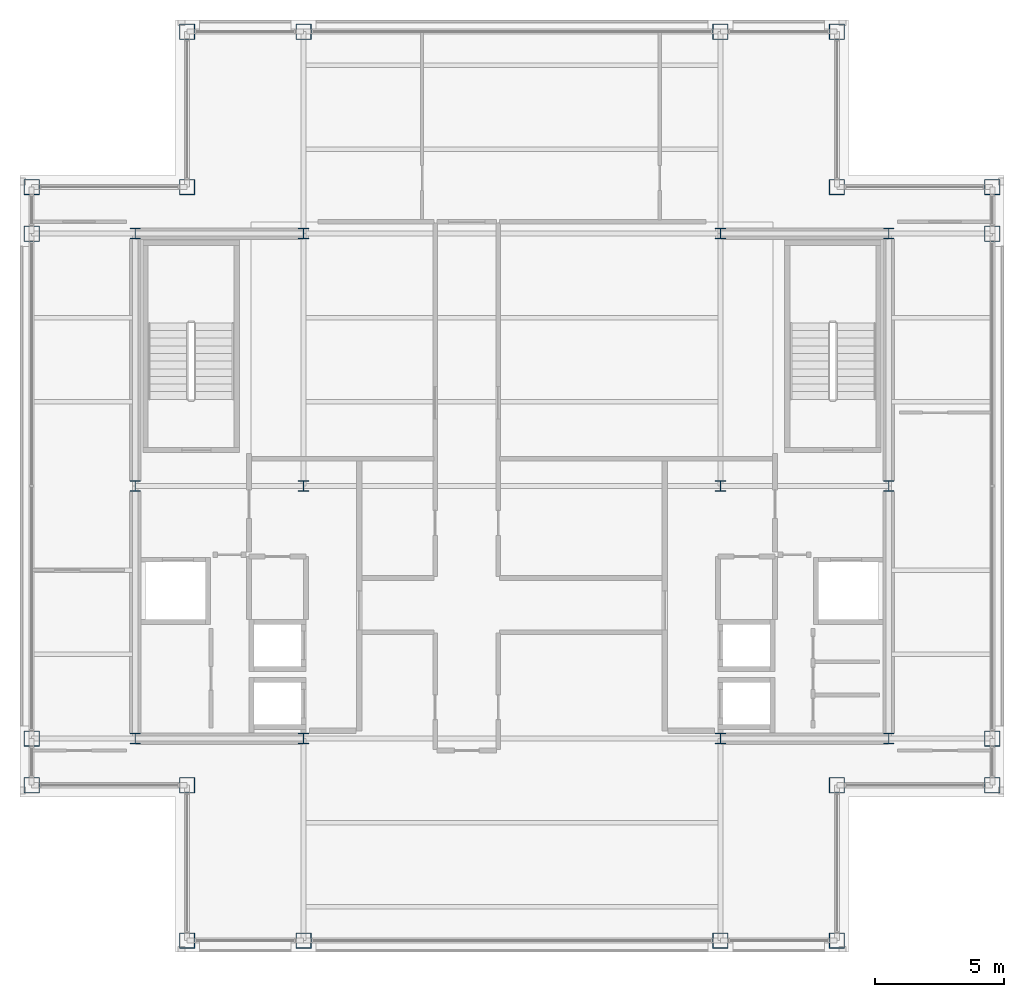
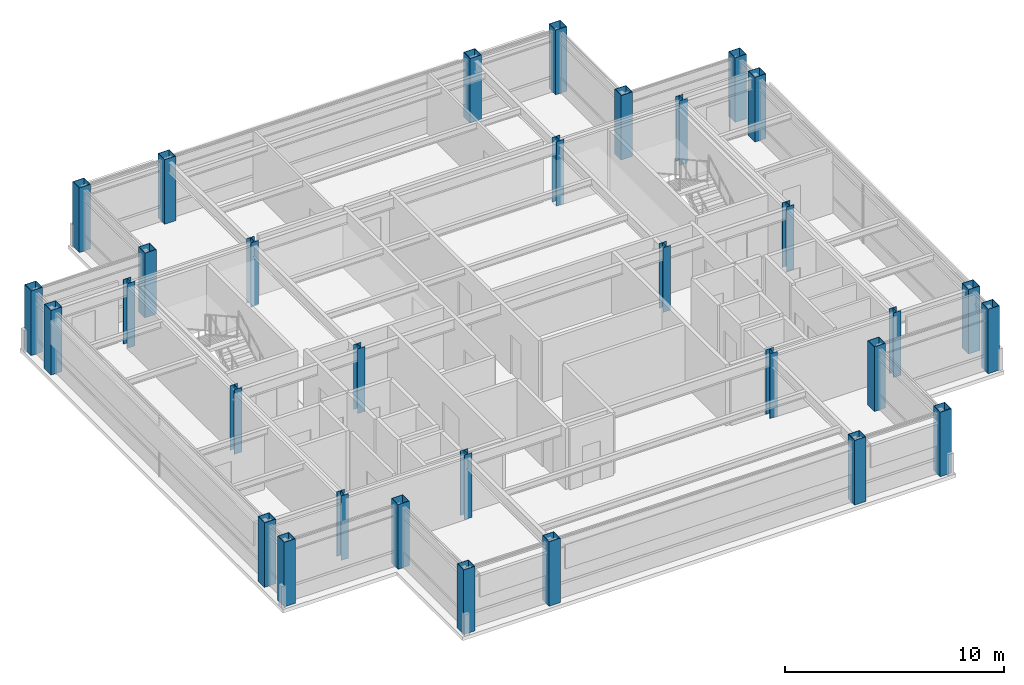
# One storey, part 1 of 22: 32 columns.
"""IFC4 building model written with IfcOpenShell, lengths in metres."""

from ifc_helpers import new_model, si_unit, direction, frame, origin, origin_2d, place, context, subcontext, project, spatial, hollow_rectangle, i_section, extrude, material, material_profile, profile_set, type_object, element, save


model = new_model("IFC4")

# Units and contexts
model_context = context("Model", 3, precision=1e-05, world=origin(), true_north=direction((0.0, 1.0)))
body_context = subcontext(model_context, "Body", "Model", "MODEL_VIEW")
ifc_project = project(units=[si_unit("LENGTHUNIT", "METRE"), si_unit("AREAUNIT", "SQUARE_METRE"), si_unit("VOLUMEUNIT", "CUBIC_METRE"), si_unit("PLANEANGLEUNIT", "RADIAN"), si_unit("MASSUNIT", "GRAM", prefix="KILO")], contexts=[model_context])

# Site, building, storey
site_placement = place(None, origin())
site = spatial("IfcSite", under=ifc_project, at=site_placement, CompositionType="ELEMENT")
building_placement = place(site_placement, origin())
building = spatial("IfcBuilding", under=site, at=building_placement, Name="Brelmoor Portico Tower", CompositionType="ELEMENT")
storey_placement = place(building_placement, frame((0.0, 0.0, 280.800048828125)))
storey = spatial("IfcBuildingStorey", under=building, at=storey_placement, Name="L74", CompositionType="ELEMENT", Elevation=280.800048828125)

# Columns
ifc_material = material(Name="Steel Q355B", Category="steel")
ifc_material_profile_1 = material_profile(ifc_material, hollow_rectangle(XDim=0.60009765625, YDim=0.60009765625, WallThickness=0.02490234375, at=origin_2d()), Name="BOX 600x600x25")
ifc_profile_set_1 = profile_set([ifc_material_profile_1], Name="Steel Q355B")
column_type_1 = type_object("IfcColumnType", Name="COL-MEGA-600", PredefinedType="COLUMN", material=ifc_profile_set_1)
for number, where, z_axis, x_axis, name in (
    (1, (-12.550048828125, -17.550048828125, 0.0), (0.0, 0.0, 1.0), (1.0, 0.0, 0.0), "L74 Perimeter Mega-Column PS01"),
    (2, (-8.050048828125, -17.550048828125, 0.0), (0.0, 0.0, 1.0), (1.0, 0.0, 0.0), "L74 Perimeter Mega-Column PS02"),
    (3, (8.050048828125, -17.550048828125, 0.0), (0.0, 0.0, 1.0), (1.0, 0.0, 0.0), "L74 Perimeter Mega-Column PS03"),
    (4, (12.550048828125, -17.550048828125, 0.0), (0.0, 0.0, 1.0), (1.0, 0.0, 0.0), "L74 Perimeter Mega-Column PS04"),
    (5, (-12.550048828125, 17.550048828125, 0.0), (0.0, 0.0, 1.0), (1.0, 0.0, 0.0), "L74 Perimeter Mega-Column PN01"),
    (6, (-8.050048828125, 17.550048828125, 0.0), (0.0, 0.0, 1.0), (1.0, 0.0, 0.0), "L74 Perimeter Mega-Column PN02"),
    (7, (8.050048828125, 17.550048828125, 0.0), (0.0, 0.0, 1.0), (1.0, 0.0, 0.0), "L74 Perimeter Mega-Column PN03"),
    (8, (12.550048828125, 17.550048828125, 0.0), (0.0, 0.0, 1.0), (1.0, 0.0, 0.0), "L74 Perimeter Mega-Column PN04"),
    (9, (-18.550048828125, -11.550048828125, 0.0), (0.0, 0.0, 1.0), (0.0, 1.0, 0.0), "L74 Perimeter Mega-Column PW01"),
    (10, (-18.550048828125, -9.75, 0.0), (0.0, 0.0, 1.0), (0.0, 1.0, 0.0), "L74 Perimeter Mega-Column PW02"),
    (11, (-18.550048828125, 9.75, 0.0), (0.0, 0.0, 1.0), (0.0, 1.0, 0.0), "L74 Perimeter Mega-Column PW03"),
    (12, (-18.550048828125, 11.550048828125, 0.0), (0.0, 0.0, 1.0), (0.0, 1.0, 0.0), "L74 Perimeter Mega-Column PW04"),
    (13, (18.550048828125, -11.550048828125, 0.0), (0.0, 0.0, 1.0), (0.0, 1.0, 0.0), "L74 Perimeter Mega-Column PE01"),
    (14, (18.550048828125, -9.75, 0.0), (0.0, 0.0, 1.0), (0.0, 1.0, 0.0), "L74 Perimeter Mega-Column PE02"),
    (15, (18.550048828125, 9.75, 0.0), (0.0, 0.0, 1.0), (0.0, 1.0, 0.0), "L74 Perimeter Mega-Column PE03"),
    (16, (18.550048828125, 11.550048828125, 0.0), (0.0, 0.0, 1.0), (0.0, 1.0, 0.0), "L74 Perimeter Mega-Column PE04"),
    (17, (-12.550048828125, 11.550048828125, 0.0), (0.0, 0.0, 1.0), (1.0, 0.0, 0.0), "L74 Perimeter Mega-Column PC-NW"),
    (18, (12.550048828125, 11.550048828125, 0.0), (0.0, 0.0, 1.0), (1.0, 0.0, 0.0), "L74 Perimeter Mega-Column PC-NE"),
    (19, (12.550048828125, -11.550048828125, 0.0), (0.0, 0.0, 1.0), (1.0, 0.0, 0.0), "L74 Perimeter Mega-Column PC-SE"),
    (20, (-12.550048828125, -11.550048828125, 0.0), (0.0, 0.0, 1.0), (1.0, 0.0, 0.0), "L74 Perimeter Mega-Column PC-SW"),
):
    element("IfcColumn", number, at=place(storey_placement, frame(where, z_axis=z_axis, x_axis=x_axis)), inside=storey, type_object=column_type_1, Name=name, PredefinedType="COLUMN", context=body_context, shape_type="SweptSolid", body=[
        extrude(hollow_rectangle(XDim=0.60009765625, YDim=0.60009765625, WallThickness=0.02490234375, at=origin_2d()), origin(), (0.0, 0.0, 1.0), 3.599853515625),
    ])
ifc_material_profile_2 = material_profile(ifc_material, i_section(OverallWidth=0.39990234375, OverallDepth=0.39990234375, WebThickness=0.012939453125, FlangeThickness=0.02099609375, at=origin_2d()), Name="HW 400x400x13x21")
ifc_profile_set_2 = profile_set([ifc_material_profile_2], Name="Steel Q355B")
column_type_2 = type_object("IfcColumnType", Name="COL-SPINE-400", PredefinedType="COLUMN", material=ifc_profile_set_2)
for number, where, z_axis, x_axis, name in (
    (21, (-14.550048828125, -9.75, 0.0), (0.0, 0.0, 1.0), (1.0, 0.0, 0.0), "L74 Core Spine Column CW-SW"),
    (22, (-14.550048828125, 0.0, 0.0), (0.0, 0.0, 1.0), (1.0, 0.0, 0.0), "L74 Core Spine Column CW-MW"),
    (23, (-14.550048828125, 9.75, 0.0), (0.0, 0.0, 1.0), (1.0, 0.0, 0.0), "L74 Core Spine Column CW-NW"),
    (24, (-8.050048828125, -9.75, 0.0), (0.0, 0.0, 1.0), (1.0, 0.0, 0.0), "L74 Core Spine Column CW-SE"),
    (25, (-8.050048828125, 0.0, 0.0), (0.0, 0.0, 1.0), (1.0, 0.0, 0.0), "L74 Core Spine Column CW-ME"),
    (26, (-8.050048828125, 9.75, 0.0), (0.0, 0.0, 1.0), (1.0, 0.0, 0.0), "L74 Core Spine Column CW-NE"),
    (27, (8.050048828125, -9.75, 0.0), (0.0, 0.0, 1.0), (1.0, 0.0, 0.0), "L74 Core Spine Column CE-SW"),
    (28, (8.050048828125, 0.0, 0.0), (0.0, 0.0, 1.0), (1.0, 0.0, 0.0), "L74 Core Spine Column CE-MW"),
    (29, (8.050048828125, 9.75, 0.0), (0.0, 0.0, 1.0), (1.0, 0.0, 0.0), "L74 Core Spine Column CE-NW"),
    (30, (14.550048828125, -9.75, 0.0), (0.0, 0.0, 1.0), (1.0, 0.0, 0.0), "L74 Core Spine Column CE-SE"),
    (31, (14.550048828125, 0.0, 0.0), (0.0, 0.0, 1.0), (1.0, 0.0, 0.0), "L74 Core Spine Column CE-ME"),
    (32, (14.550048828125, 9.75, 0.0), (0.0, 0.0, 1.0), (1.0, 0.0, 0.0), "L74 Core Spine Column CE-NE"),
):
    element("IfcColumn", number, at=place(storey_placement, frame(where, z_axis=z_axis, x_axis=x_axis)), inside=storey, type_object=column_type_2, Name=name, PredefinedType="COLUMN", context=body_context, shape_type="SweptSolid", body=[
        extrude(i_section(OverallWidth=0.39990234375, OverallDepth=0.39990234375, WebThickness=0.012939453125, FlangeThickness=0.02099609375, at=origin_2d()), origin(), (0.0, 0.0, 1.0), 3.599853515625),
    ])

save(model, "model.ifc")
